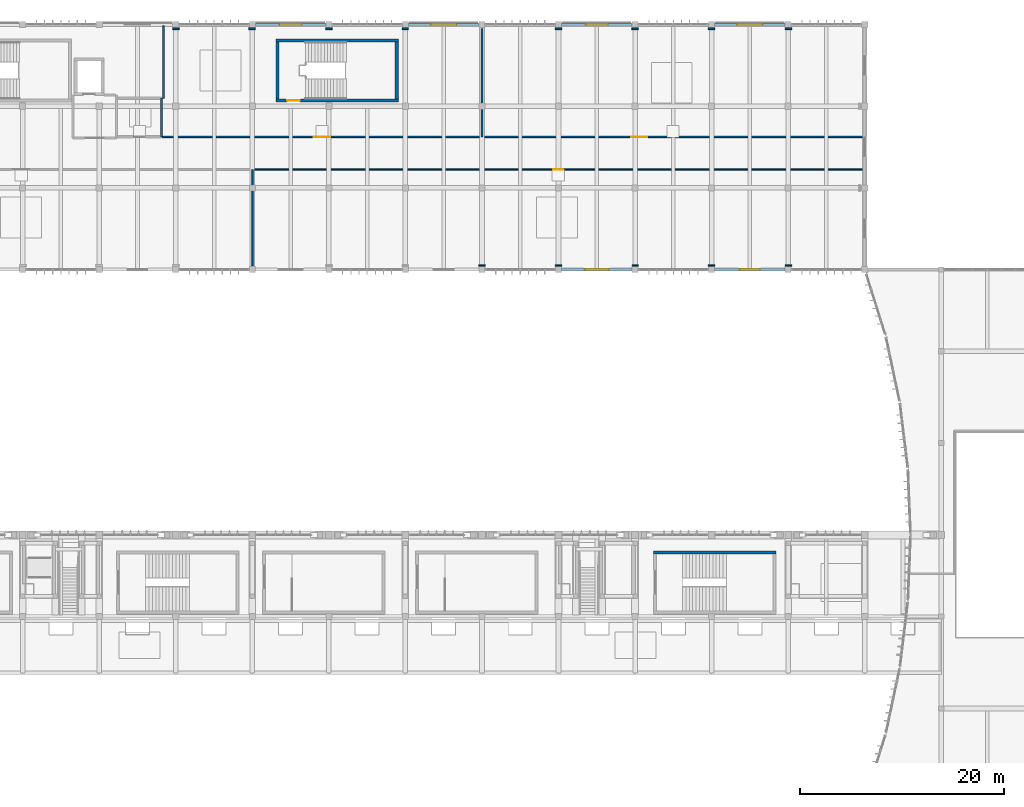
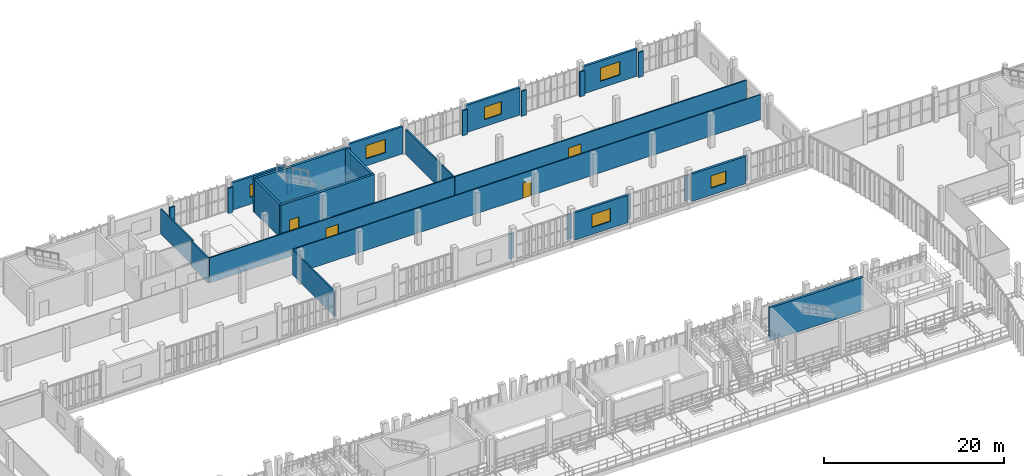
# One storey, part 57 of 81: 31 walls, 6 windows, 4 doors, 10 openings.
"""IFC4 building model written with IfcOpenShell, lengths in metres."""

from ifc_helpers import new_model, si_unit, direction, frame, frame_2d, origin, place, context, subcontext, project, spatial, rectangle, extrude, material, layer, layer_set, type_object, element, fill, save


model = new_model("IFC4")

# Units and contexts
model_context = context("Model", 3, precision=1e-05, world=origin(), true_north=direction((0.0, 1.0)))
body_context = subcontext(model_context, "Body", "Model", "MODEL_VIEW")
ifc_project = project(units=[si_unit("LENGTHUNIT", "METRE"), si_unit("AREAUNIT", "SQUARE_METRE"), si_unit("VOLUMEUNIT", "CUBIC_METRE"), si_unit("PLANEANGLEUNIT", "RADIAN"), si_unit("MASSUNIT", "GRAM", prefix="KILO")], contexts=[model_context])

# Site, building, storey
site_placement = place(None, origin())
site = spatial("IfcSite", under=ifc_project, at=site_placement, CompositionType="ELEMENT")
building_placement = place(site_placement, origin())
building = spatial("IfcBuilding", under=site, at=building_placement, Name="Vourika Railside Aquatics Centre", CompositionType="ELEMENT")
storey_placement = place(building_placement, frame((0.0, 0.0, 4.800048828125)))
storey = spatial("IfcBuildingStorey", under=building, at=storey_placement, Name="L01", CompositionType="ELEMENT", Elevation=4.800048828125)

# Wall, opening, door
ifc_material_1 = material(Name="Concrete C40/50", Category="concrete")
ifc_layer_1 = layer(ifc_material_1, 0.300048828125, Name="WL-CORE")
ifc_layer_set_1 = layer_set([ifc_layer_1], Name="Concrete C40/50")
wall_type_1 = type_object("IfcWallType", Name="WL-CORE", PredefinedType="SHEAR", material=ifc_layer_set_1)
wall_1_placement = place(storey_placement, frame((75.800048828125, 108.550048828125, 0.0), z_axis=(0.0, 0.0, 1.0), x_axis=(1.0, 0.0, 0.0)))
wall_1 = element("IfcWall", 1, at=wall_1_placement, inside=storey, type_object=wall_type_1, Name="Protected Exit Stair Core ST03 South Wall (L01)", PredefinedType="SHEAR", context=body_context, shape_type="SweptSolid", body=[
    extrude(rectangle(XDim=12.0, YDim=0.300048828125, at=frame_2d((6.0, 0.0))), origin(), (0.0, 0.0, 1.0), 4.5),
])
opening_1_placement = place(wall_1_placement, frame((1.10009765625, 0.0, 0.0)))
opening_1 = element("IfcOpeningElement", 2, at=opening_1_placement, cuts=wall_1, Name="Opening DF02", PredefinedType="OPENING", context=body_context, shape_type="SweptSolid", body=[
    extrude(rectangle(XDim=1.25, YDim=2.14990234375, at=frame_2d((0.625, 1.074951171875))), frame((0.0, 0.16015625, 0.0), z_axis=(0.0, -1.0, 0.0), x_axis=(1.0, 0.0, 0.0)), (0.0, 0.0, 1.0), 0.320068359375),
])
ifc_material_2 = material(Name="Fire-rated wide exit stair door")
door_type_1 = type_object("IfcDoorType", Name="DR-FD60-125", OperationType="NOTDEFINED", PredefinedType="DOOR", material=ifc_material_2)
door_1_placement = place(opening_1_placement, origin())
door_1 = element("IfcDoor", 3, at=door_1_placement, inside=storey, type_object=door_type_1, Name="Protected Exit Stair Core ST03 Enclosure Fire Door (L01)", OperationType="SINGLE_SWING_LEFT", OverallHeight=2.14990234375, OverallWidth=1.25, PredefinedType="DOOR", context=body_context, shape_type="SweptSolid", body=[
    extrude(rectangle(XDim=1.25, YDim=2.14990234375, at=frame_2d((0.625, 1.074951171875))), frame((0.0, 0.02490234375, 0.0), z_axis=(0.0, -1.0, 0.0), x_axis=(1.0, 0.0, 0.0)), (0.0, 0.0, 1.0), 0.050048828125),
])
fill(opening_1, door_1)

# Walls
wall_2_placement = place(storey_placement, frame((87.800048828125, 114.449951171875, 0.0), z_axis=(0.0, 0.0, 1.0), x_axis=(-1.0, 0.0, 0.0)))
element("IfcWall", 4, at=wall_2_placement, inside=storey, type_object=wall_type_1, Name="Protected Exit Stair Core ST03 North Wall (L01)", PredefinedType="SHEAR", context=body_context, shape_type="SweptSolid", body=[
    extrude(rectangle(XDim=12.0, YDim=0.300048828125, at=frame_2d((6.0, 0.0))), origin(), (0.0, 0.0, 1.0), 4.5),
])
for number, where, z_axis, x_axis, name in (
    (5, (75.949951171875, 114.300048828125, 0.0), (0.0, 0.0, 1.0), (0.0, -1.0, 0.0), "Protected Exit Stair Core ST03 West Wall (L01)"),
    (6, (87.64990234375, 108.699951171875, 0.0), (0.0, 0.0, 1.0), (0.0, 1.0, 0.0), "Protected Exit Stair Core ST03 East Wall (L01)"),
):
    element("IfcWall", number, at=place(storey_placement, frame(where, z_axis=z_axis, x_axis=x_axis)), inside=storey, type_object=wall_type_1, Name=name, PredefinedType="SHEAR", context=body_context, shape_type="SweptSolid", body=[
        extrude(rectangle(XDim=5.60009765625, YDim=0.300048828125, at=frame_2d((2.800048828125, 0.0))), origin(), (0.0, 0.0, 1.0), 4.5),
    ])
wall_3_placement = place(storey_placement, frame((124.800048828125, 64.300048828125, 0.0), z_axis=(0.0, 0.0, 1.0), x_axis=(-1.0, 0.0, 0.0)))
element("IfcWall", 7, at=wall_3_placement, inside=storey, type_object=wall_type_1, Name="Grandstand Vomitory Exit Stair ST10 North Wall (L01)", PredefinedType="SHEAR", context=body_context, shape_type="SweptSolid", body=[
    extrude(rectangle(XDim=12.0, YDim=0.300048828125, at=frame_2d((6.0, 0.0))), origin(), (0.0, 0.0, 1.0), 4.5),
])

# Wall, opening, window
ifc_material_3 = material(Name="Precast concrete C40/50", Category="concrete")
ifc_layer_2 = layer(ifc_material_3, 0.2900390625, Name="WL-EXT-290")
ifc_layer_set_2 = layer_set([ifc_layer_2], Name="Precast concrete C40/50")
wall_type_2 = type_object("IfcWallType", Name="WL-EXT-290", PredefinedType="SOLIDWALL", material=ifc_layer_set_2)
wall_4_placement = place(storey_placement, frame((80.699951171875, 116.0, 0.0), z_axis=(0.0, 0.0, 1.0), x_axis=(-1.0, 0.0, 0.0)))
wall_4 = element("IfcWall", 8, at=wall_4_placement, inside=storey, type_object=wall_type_2, Name="North Boulevard Precast Bay L01-8", PredefinedType="SOLIDWALL", context=body_context, shape_type="SweptSolid", body=[
    extrude(rectangle(XDim=6.89990234375, YDim=0.2900390625, at=frame_2d((3.449951171875, 0.0))), origin(), (0.0, 0.0, 1.0), 3.699951171875),
])
opening_2_placement = place(wall_4_placement, frame((2.375, 0.0, 0.949951171875)))
opening_2 = element("IfcOpeningElement", 9, at=opening_2_placement, cuts=wall_4, Name="Opening W04", PredefinedType="OPENING", context=body_context, shape_type="SweptSolid", body=[
    extrude(rectangle(XDim=2.14990234375, YDim=1.699951171875, at=frame_2d((1.074951171875, 0.85009765625))), frame((0.0, 0.155029296875, 0.0), z_axis=(0.0, -1.0, 0.0), x_axis=(1.0, 0.0, 0.0)), (0.0, 0.0, 1.0), 0.31005859375),
])
ifc_material_4 = material(Name="Laminated solar-control glass", Category="glass")
window_type_1 = type_object("IfcWindowType", Name="WN-FIT-215x170", PartitioningType="DOUBLE_PANEL_VERTICAL", PredefinedType="WINDOW", material=ifc_material_4)
window_1_placement = place(opening_2_placement, origin())
window_1 = element("IfcWindow", 10, at=window_1_placement, inside=storey, type_object=window_type_1, Name="North Boulevard Studio Window L01-8", OverallHeight=1.699951171875, OverallWidth=2.14990234375, PartitioningType="SINGLE_PANEL", PredefinedType="WINDOW", context=body_context, shape_type="SweptSolid", body=[
    extrude(rectangle(XDim=2.14990234375, YDim=1.699951171875, at=frame_2d((1.074951171875, 0.85009765625))), frame((0.0, 0.030029296875, 0.0), z_axis=(0.0, -1.0, 0.0), x_axis=(1.0, 0.0, 0.0)), (0.0, 0.0, 1.0), 0.06005859375),
])
fill(opening_2, window_1)

wall_5_placement = place(storey_placement, frame((95.699951171875, 116.0, 0.0), z_axis=(0.0, 0.0, 1.0), x_axis=(-1.0, 0.0, 0.0)))
wall_5 = element("IfcWall", 11, at=wall_5_placement, inside=storey, type_object=wall_type_2, Name="North Boulevard Precast Bay L01-10", PredefinedType="SOLIDWALL", context=body_context, shape_type="SweptSolid", body=[
    extrude(rectangle(XDim=6.89990234375, YDim=0.2900390625, at=frame_2d((3.449951171875, 0.0))), origin(), (0.0, 0.0, 1.0), 3.699951171875),
])
opening_3_placement = place(wall_5_placement, frame((2.199951171875, 0.0, 0.949951171875)))
opening_3 = element("IfcOpeningElement", 12, at=opening_3_placement, cuts=wall_5, Name="Opening W02", PredefinedType="OPENING", context=body_context, shape_type="SweptSolid", body=[
    extrude(rectangle(XDim=2.5, YDim=1.800048828125, at=frame_2d((1.25, 0.89990234375))), frame((0.0, 0.155029296875, 0.0), z_axis=(0.0, -1.0, 0.0), x_axis=(1.0, 0.0, 0.0)), (0.0, 0.0, 1.0), 0.31005859375),
])
window_type_2 = type_object("IfcWindowType", Name="WN-FIT-250x180", PartitioningType="DOUBLE_PANEL_VERTICAL", PredefinedType="WINDOW", material=ifc_material_4)
window_2_placement = place(opening_3_placement, origin())
window_2 = element("IfcWindow", 13, at=window_2_placement, inside=storey, type_object=window_type_2, Name="North Boulevard Studio Window L01-10", OverallHeight=1.800048828125, OverallWidth=2.5, PartitioningType="SINGLE_PANEL", PredefinedType="WINDOW", context=body_context, shape_type="SweptSolid", body=[
    extrude(rectangle(XDim=2.5, YDim=1.800048828125, at=frame_2d((1.25, 0.89990234375))), frame((0.0, 0.030029296875, 0.0), z_axis=(0.0, -1.0, 0.0), x_axis=(1.0, 0.0, 0.0)), (0.0, 0.0, 1.0), 0.06005859375),
])
fill(opening_3, window_2)

wall_6_placement = place(storey_placement, frame((110.699951171875, 116.0, 0.0), z_axis=(0.0, 0.0, 1.0), x_axis=(-1.0, 0.0, 0.0)))
wall_6 = element("IfcWall", 14, at=wall_6_placement, inside=storey, type_object=wall_type_2, Name="North Boulevard Precast Bay L01-12", PredefinedType="SOLIDWALL", context=body_context, shape_type="SweptSolid", body=[
    extrude(rectangle(XDim=6.89990234375, YDim=0.2900390625, at=frame_2d((3.449951171875, 0.0))), origin(), (0.0, 0.0, 1.0), 3.699951171875),
])
opening_4_placement = place(wall_6_placement, frame((2.375, 0.0, 0.949951171875)))
opening_4 = element("IfcOpeningElement", 15, at=opening_4_placement, cuts=wall_6, Name="Opening W04", PredefinedType="OPENING", context=body_context, shape_type="SweptSolid", body=[
    extrude(rectangle(XDim=2.14990234375, YDim=1.699951171875, at=frame_2d((1.074951171875, 0.85009765625))), frame((0.0, 0.155029296875, 0.0), z_axis=(0.0, -1.0, 0.0), x_axis=(1.0, 0.0, 0.0)), (0.0, 0.0, 1.0), 0.31005859375),
])
window_3_placement = place(opening_4_placement, origin())
window_3 = element("IfcWindow", 16, at=window_3_placement, inside=storey, type_object=window_type_1, Name="North Boulevard Studio Window L01-12", OverallHeight=1.699951171875, OverallWidth=2.14990234375, PartitioningType="SINGLE_PANEL", PredefinedType="WINDOW", context=body_context, shape_type="SweptSolid", body=[
    extrude(rectangle(XDim=2.14990234375, YDim=1.699951171875, at=frame_2d((1.074951171875, 0.85009765625))), frame((0.0, 0.030029296875, 0.0), z_axis=(0.0, -1.0, 0.0), x_axis=(1.0, 0.0, 0.0)), (0.0, 0.0, 1.0), 0.06005859375),
])
fill(opening_4, window_3)

wall_7_placement = place(storey_placement, frame((125.699951171875, 116.0, 0.0), z_axis=(0.0, 0.0, 1.0), x_axis=(-1.0, 0.0, 0.0)))
wall_7 = element("IfcWall", 17, at=wall_7_placement, inside=storey, type_object=wall_type_2, Name="North Boulevard Precast Bay L01-14", PredefinedType="SOLIDWALL", context=body_context, shape_type="SweptSolid", body=[
    extrude(rectangle(XDim=6.89990234375, YDim=0.2900390625, at=frame_2d((3.449951171875, 0.0))), origin(), (0.0, 0.0, 1.0), 3.699951171875),
])
opening_5_placement = place(wall_7_placement, frame((2.199951171875, 0.0, 0.949951171875)))
opening_5 = element("IfcOpeningElement", 18, at=opening_5_placement, cuts=wall_7, Name="Opening W02", PredefinedType="OPENING", context=body_context, shape_type="SweptSolid", body=[
    extrude(rectangle(XDim=2.5, YDim=1.800048828125, at=frame_2d((1.25, 0.89990234375))), frame((0.0, 0.155029296875, 0.0), z_axis=(0.0, -1.0, 0.0), x_axis=(1.0, 0.0, 0.0)), (0.0, 0.0, 1.0), 0.31005859375),
])
window_4_placement = place(opening_5_placement, origin())
window_4 = element("IfcWindow", 19, at=window_4_placement, inside=storey, type_object=window_type_2, Name="North Boulevard Studio Window L01-14", OverallHeight=1.800048828125, OverallWidth=2.5, PartitioningType="SINGLE_PANEL", PredefinedType="WINDOW", context=body_context, shape_type="SweptSolid", body=[
    extrude(rectangle(XDim=2.5, YDim=1.800048828125, at=frame_2d((1.25, 0.89990234375))), frame((0.0, 0.030029296875, 0.0), z_axis=(0.0, -1.0, 0.0), x_axis=(1.0, 0.0, 0.0)), (0.0, 0.0, 1.0), 0.06005859375),
])
fill(opening_5, window_4)

wall_8_placement = place(storey_placement, frame((103.800048828125, 92.0, 0.0), z_axis=(0.0, 0.0, 1.0), x_axis=(1.0, 0.0, 0.0)))
wall_8 = element("IfcWall", 20, at=wall_8_placement, inside=storey, type_object=wall_type_2, Name="Courtyard Precast Wall L01-10", PredefinedType="SOLIDWALL", context=body_context, shape_type="SweptSolid", body=[
    extrude(rectangle(XDim=6.89990234375, YDim=0.2900390625, at=frame_2d((3.449951171875, 0.0))), origin(), (0.0, 0.0, 1.0), 3.699951171875),
])
opening_6_placement = place(wall_8_placement, frame((2.27490234375, 0.0, 0.949951171875)))
opening_6 = element("IfcOpeningElement", 21, at=opening_6_placement, cuts=wall_8, Name="Opening W03", PredefinedType="OPENING", context=body_context, shape_type="SweptSolid", body=[
    extrude(rectangle(XDim=2.35009765625, YDim=1.75, at=frame_2d((1.175048828125, 0.875))), frame((0.0, 0.155029296875, 0.0), z_axis=(0.0, -1.0, 0.0), x_axis=(1.0, 0.0, 0.0)), (0.0, 0.0, 1.0), 0.31005859375),
])
window_type_3 = type_object("IfcWindowType", Name="WN-FIT-235x175", PartitioningType="DOUBLE_PANEL_VERTICAL", PredefinedType="WINDOW", material=ifc_material_4)
window_5_placement = place(opening_6_placement, origin())
window_5 = element("IfcWindow", 22, at=window_5_placement, inside=storey, type_object=window_type_3, Name="Courtyard Fitness Window L01-10", OverallHeight=1.75, OverallWidth=2.35009765625, PartitioningType="SINGLE_PANEL", PredefinedType="WINDOW", context=body_context, shape_type="SweptSolid", body=[
    extrude(rectangle(XDim=2.35009765625, YDim=1.75, at=frame_2d((1.175048828125, 0.875))), frame((0.0, 0.030029296875, 0.0), z_axis=(0.0, -1.0, 0.0), x_axis=(1.0, 0.0, 0.0)), (0.0, 0.0, 1.0), 0.06005859375),
])
fill(opening_6, window_5)

wall_9_placement = place(storey_placement, frame((118.800048828125, 92.0, 0.0), z_axis=(0.0, 0.0, 1.0), x_axis=(1.0, 0.0, 0.0)))
wall_9 = element("IfcWall", 23, at=wall_9_placement, inside=storey, type_object=wall_type_2, Name="Courtyard Precast Wall L01-12", PredefinedType="SOLIDWALL", context=body_context, shape_type="SweptSolid", body=[
    extrude(rectangle(XDim=6.89990234375, YDim=0.2900390625, at=frame_2d((3.449951171875, 0.0))), origin(), (0.0, 0.0, 1.0), 3.699951171875),
])
opening_7_placement = place(wall_9_placement, frame((2.47509765625, 0.0, 0.949951171875)))
opening_7 = element("IfcOpeningElement", 24, at=opening_7_placement, cuts=wall_9, Name="Opening W05", PredefinedType="OPENING", context=body_context, shape_type="SweptSolid", body=[
    extrude(rectangle(XDim=1.949951171875, YDim=1.64990234375, at=frame_2d((0.97509765625, 0.824951171875))), frame((0.0, 0.155029296875, 0.0), z_axis=(0.0, -1.0, 0.0), x_axis=(1.0, 0.0, 0.0)), (0.0, 0.0, 1.0), 0.31005859375),
])
window_type_4 = type_object("IfcWindowType", Name="WN-FIT-195x165", PartitioningType="DOUBLE_PANEL_VERTICAL", PredefinedType="WINDOW", material=ifc_material_4)
window_6_placement = place(opening_7_placement, origin())
window_6 = element("IfcWindow", 25, at=window_6_placement, inside=storey, type_object=window_type_4, Name="Courtyard Fitness Window L01-12", OverallHeight=1.64990234375, OverallWidth=1.949951171875, PartitioningType="SINGLE_PANEL", PredefinedType="WINDOW", context=body_context, shape_type="SweptSolid", body=[
    extrude(rectangle(XDim=1.949951171875, YDim=1.64990234375, at=frame_2d((0.97509765625, 0.824951171875))), frame((0.0, 0.030029296875, 0.0), z_axis=(0.0, -1.0, 0.0), x_axis=(1.0, 0.0, 0.0)), (0.0, 0.0, 1.0), 0.06005859375),
])
fill(opening_7, window_6)

# Wall, opening, door
ifc_material_5 = material(Name="Lightweight drylining partition")
ifc_layer_3 = layer(ifc_material_5, 0.1201171875, Name="WL-PART-120")
ifc_layer_set_3 = layer_set([ifc_layer_3], Name="Lightweight drylining partition")
wall_type_3 = type_object("IfcWallType", Name="WL-PART-120", PredefinedType="PARTITIONING", material=ifc_layer_set_3)
wall_10_placement = place(storey_placement, frame((73.56005859375, 101.800048828125, 0.0), z_axis=(0.0, 0.0, 1.0), x_axis=(1.0, 0.0, 0.0)))
wall_10 = element("IfcWall", 26, at=wall_10_placement, inside=storey, type_object=wall_type_3, Name="Cardio Fitness Hall Partition 1", PredefinedType="PARTITIONING", context=body_context, shape_type="SweptSolid", body=[
    extrude(rectangle(XDim=59.81494140625, YDim=0.1201171875, at=frame_2d((29.907470703125, 0.0))), origin(), (0.0, 0.0, 1.0), 3.39990234375),
])
opening_8_placement = place(wall_10_placement, frame((29.407470703125, 0.0, 0.0)))
opening_8 = element("IfcOpeningElement", 27, at=opening_8_placement, cuts=wall_10, Name="Opening DI01", PredefinedType="OPENING", context=body_context, shape_type="SweptSolid", body=[
    extrude(rectangle(XDim=1.0, YDim=2.10009765625, at=frame_2d((0.5, 1.050048828125))), frame((0.0, 0.070068359375, 0.0), z_axis=(0.0, -1.0, 0.0), x_axis=(1.0, 0.0, 0.0)), (0.0, 0.0, 1.0), 0.14013671875),
])
ifc_material_6 = material(Name="Anodized aluminium and laminate door", Category="aluminium")
door_type_2 = type_object("IfcDoorType", Name="DR-INT-1000", OperationType="NOTDEFINED", PredefinedType="DOOR", material=ifc_material_6)
door_2_placement = place(opening_8_placement, origin())
door_2 = element("IfcDoor", 28, at=door_2_placement, inside=storey, type_object=door_type_2, Name="Cardio Fitness Hall Door", OperationType="SINGLE_SWING_LEFT", OverallHeight=2.10009765625, OverallWidth=1.0, PredefinedType="DOOR", context=body_context, shape_type="SweptSolid", body=[
    extrude(rectangle(XDim=1.0, YDim=2.10009765625, at=frame_2d((0.5, 1.050048828125))), frame((0.0, 0.02490234375, 0.0), z_axis=(0.0, -1.0, 0.0), x_axis=(1.0, 0.0, 0.0)), (0.0, 0.0, 1.0), 0.050048828125),
])
fill(opening_8, door_2)

# Walls
for number, where, z_axis, x_axis, name in (
    (29, (126.330078125, 92.39990234375, 0.0), (0.0, 0.0, 1.0), (-1.0, 0.0, 0.0), "Cardio Fitness Hall Partition 4"),
    (30, (118.800048828125, 92.39990234375, 0.0), (0.0, 0.0, 1.0), (-1.0, 0.0, 0.0), "Cardio Fitness Hall Partition 5"),
    (31, (111.330078125, 92.39990234375, 0.0), (0.0, 0.0, 1.0), (-1.0, 0.0, 0.0), "Cardio Fitness Hall Partition 6"),
    (32, (103.800048828125, 92.39990234375, 0.0), (0.0, 0.0, 1.0), (-1.0, 0.0, 0.0), "Cardio Fitness Hall Partition 7"),
    (33, (96.330078125, 92.39990234375, 0.0), (0.0, 0.0, 1.0), (-1.0, 0.0, 0.0), "Cardio Fitness Hall Partition 8"),
):
    element("IfcWall", number, at=place(storey_placement, frame(where, z_axis=z_axis, x_axis=x_axis)), inside=storey, type_object=wall_type_3, Name=name, PredefinedType="PARTITIONING", context=body_context, shape_type="SweptSolid", body=[
        extrude(rectangle(XDim=0.630126953125, YDim=0.1201171875, at=frame_2d((0.31494140625, 0.0))), origin(), (0.0, 0.0, 1.0), 3.39990234375),
    ])
ifc_material_7 = material(Name="Acoustic twin-stud partition")
ifc_layer_4 = layer(ifc_material_7, 0.159912109375, Name="WL-PART-160")
ifc_layer_set_4 = layer_set([ifc_layer_4], Name="Acoustic twin-stud partition")
wall_type_4 = type_object("IfcWallType", Name="WL-PART-160", PredefinedType="PARTITIONING", material=ifc_layer_set_4)
wall_11_placement = place(storey_placement, frame((73.5, 101.800048828125, 0.0), z_axis=(0.0, 0.0, 1.0), x_axis=(0.0, -1.0, 0.0)))
element("IfcWall", 34, at=wall_11_placement, inside=storey, type_object=wall_type_4, Name="Strength and Free-Weights Gym Hall Partition 4", PredefinedType="PARTITIONING", context=body_context, shape_type="SweptSolid", body=[
    extrude(rectangle(XDim=9.400146484375, YDim=0.159912109375, at=frame_2d((4.7001953125, 0.0))), origin(), (0.0, 0.0, 1.0), 3.39990234375),
])

# Wall, opening, door
wall_12_placement = place(storey_placement, frame((96.0, 105.0, 0.0), z_axis=(0.0, 0.0, 1.0), x_axis=(-1.0, 0.0, 0.0)))
wall_12 = element("IfcWall", 35, at=wall_12_placement, inside=storey, type_object=wall_type_4, Name="Indoor Cycling Spin Studio Partition 1", PredefinedType="PARTITIONING", context=body_context, shape_type="SweptSolid", body=[
    extrude(rectangle(XDim=31.330078125, YDim=0.159912109375, at=frame_2d((15.6650390625, 0.0))), origin(), (0.0, 0.0, 1.0), 3.39990234375),
])
opening_9_placement = place(wall_12_placement, frame((14.864990234375, 0.0, 0.0)))
opening_9 = element("IfcOpeningElement", 36, at=opening_9_placement, cuts=wall_12, Name="Opening DI04", PredefinedType="OPENING", context=body_context, shape_type="SweptSolid", body=[
    extrude(rectangle(XDim=1.60009765625, YDim=2.199951171875, at=frame_2d((0.800048828125, 1.10009765625))), frame((0.0, 0.08984375, 0.0), z_axis=(0.0, -1.0, 0.0), x_axis=(1.0, 0.0, 0.0)), (0.0, 0.0, 1.0), 0.179931640625),
])
ifc_material_8 = material(Name="Double studio entrance door")
door_type_3 = type_object("IfcDoorType", Name="DR-INT-1600D", OperationType="DOUBLE_DOOR_SINGLE_SWING", PredefinedType="DOOR", material=ifc_material_8)
door_3_placement = place(opening_9_placement, origin())
door_3 = element("IfcDoor", 37, at=door_3_placement, inside=storey, type_object=door_type_3, Name="Indoor Cycling Spin Studio Door", OperationType="DOUBLE_DOOR_SINGLE_SWING", OverallHeight=2.199951171875, OverallWidth=1.60009765625, PredefinedType="DOOR", context=body_context, shape_type="SweptSolid", body=[
    extrude(rectangle(XDim=1.60009765625, YDim=2.199951171875, at=frame_2d((0.800048828125, 1.10009765625))), frame((0.0, 0.02490234375, 0.0), z_axis=(0.0, -1.0, 0.0), x_axis=(1.0, 0.0, 0.0)), (0.0, 0.0, 1.0), 0.050048828125),
])
fill(opening_9, door_3)

# Walls
wall_13_placement = place(storey_placement, frame((96.0, 115.60009765625, 0.0), z_axis=(0.0, 0.0, 1.0), x_axis=(0.0, -1.0, 0.0)))
element("IfcWall", 38, at=wall_13_placement, inside=storey, type_object=wall_type_4, Name="Indoor Cycling Spin Studio Partition 2", PredefinedType="PARTITIONING", context=body_context, shape_type="SweptSolid", body=[
    extrude(rectangle(XDim=10.60009765625, YDim=0.159912109375, at=frame_2d((5.300048828125, 0.0))), origin(), (0.0, 0.0, 1.0), 3.39990234375),
])
wall_14_placement = place(storey_placement, frame((64.800048828125, 108.800048828125, 0.0), z_axis=(0.0, 0.0, 1.0), x_axis=(0.0, 1.0, 0.0)))
element("IfcWall", 39, at=wall_14_placement, inside=storey, type_object=wall_type_4, Name="Indoor Cycling Spin Studio Partition 4", PredefinedType="PARTITIONING", context=body_context, shape_type="SweptSolid", body=[
    extrude(rectangle(XDim=7.074951171875, YDim=0.159912109375, at=frame_2d((3.53759765625, 0.0))), origin(), (0.0, 0.0, 1.0), 3.39990234375),
])
for number, where, z_axis, x_axis, name in (
    (40, (65.699951171875, 115.60009765625, 0.0), (0.0, 0.0, 1.0), (1.0, 0.0, 0.0), "Indoor Cycling Spin Studio Partition 5"),
    (41, (73.169921875, 115.60009765625, 0.0), (0.0, 0.0, 1.0), (1.0, 0.0, 0.0), "Indoor Cycling Spin Studio Partition 6"),
    (42, (80.699951171875, 115.60009765625, 0.0), (0.0, 0.0, 1.0), (1.0, 0.0, 0.0), "Indoor Cycling Spin Studio Partition 7"),
    (43, (88.169921875, 115.60009765625, 0.0), (0.0, 0.0, 1.0), (1.0, 0.0, 0.0), "Indoor Cycling Spin Studio Partition 8"),
):
    element("IfcWall", number, at=place(storey_placement, frame(where, z_axis=z_axis, x_axis=x_axis)), inside=storey, type_object=wall_type_4, Name=name, PredefinedType="PARTITIONING", context=body_context, shape_type="SweptSolid", body=[
        extrude(rectangle(XDim=0.630126953125, YDim=0.159912109375, at=frame_2d((0.31494140625, 0.0))), origin(), (0.0, 0.0, 1.0), 3.39990234375),
    ])

# Wall, opening, door
wall_15_placement = place(storey_placement, frame((133.375, 105.0, 0.0), z_axis=(0.0, 0.0, 1.0), x_axis=(-1.0, 0.0, 0.0)))
wall_15 = element("IfcWall", 44, at=wall_15_placement, inside=storey, type_object=wall_type_4, Name="Aerobics and Dance Movement Studio Partition 1", PredefinedType="PARTITIONING", context=body_context, shape_type="SweptSolid", body=[
    extrude(rectangle(XDim=37.31494140625, YDim=0.159912109375, at=frame_2d((18.657470703125, 0.0))), origin(), (0.0, 0.0, 1.0), 3.39990234375),
])
opening_10_placement = place(wall_15_placement, frame((21.157470703125, 0.0, 0.0)))
opening_10 = element("IfcOpeningElement", 45, at=opening_10_placement, cuts=wall_15, Name="Opening DI04", PredefinedType="OPENING", context=body_context, shape_type="SweptSolid", body=[
    extrude(rectangle(XDim=1.60009765625, YDim=2.199951171875, at=frame_2d((0.800048828125, 1.10009765625))), frame((0.0, 0.08984375, 0.0), z_axis=(0.0, -1.0, 0.0), x_axis=(1.0, 0.0, 0.0)), (0.0, 0.0, 1.0), 0.179931640625),
])
door_4_placement = place(opening_10_placement, origin())
door_4 = element("IfcDoor", 46, at=door_4_placement, inside=storey, type_object=door_type_3, Name="Aerobics and Dance Movement Studio Door", OperationType="DOUBLE_DOOR_SINGLE_SWING", OverallHeight=2.199951171875, OverallWidth=1.60009765625, PredefinedType="DOOR", context=body_context, shape_type="SweptSolid", body=[
    extrude(rectangle(XDim=1.60009765625, YDim=2.199951171875, at=frame_2d((0.800048828125, 1.10009765625))), frame((0.0, 0.02490234375, 0.0), z_axis=(0.0, -1.0, 0.0), x_axis=(1.0, 0.0, 0.0)), (0.0, 0.0, 1.0), 0.050048828125),
])
fill(opening_10, door_4)

# Walls
for number, where, z_axis, x_axis, name in (
    (47, (103.169921875, 115.60009765625, 0.0), (0.0, 0.0, 1.0), (1.0, 0.0, 0.0), "Aerobics and Dance Movement Studio Partition 4"),
    (48, (110.699951171875, 115.60009765625, 0.0), (0.0, 0.0, 1.0), (1.0, 0.0, 0.0), "Aerobics and Dance Movement Studio Partition 5"),
    (49, (118.169921875, 115.60009765625, 0.0), (0.0, 0.0, 1.0), (1.0, 0.0, 0.0), "Aerobics and Dance Movement Studio Partition 6"),
    (50, (125.699951171875, 115.60009765625, 0.0), (0.0, 0.0, 1.0), (1.0, 0.0, 0.0), "Aerobics and Dance Movement Studio Partition 7"),
):
    element("IfcWall", number, at=place(storey_placement, frame(where, z_axis=z_axis, x_axis=x_axis)), inside=storey, type_object=wall_type_4, Name=name, PredefinedType="PARTITIONING", context=body_context, shape_type="SweptSolid", body=[
        extrude(rectangle(XDim=0.630126953125, YDim=0.159912109375, at=frame_2d((0.31494140625, 0.0))), origin(), (0.0, 0.0, 1.0), 3.39990234375),
    ])
ifc_material_9 = material(Name="Moisture-resistant wet-village blockwork", Category="masonry")
ifc_layer_5 = layer(ifc_material_9, 0.179931640625, Name="WL-PART-180")
ifc_layer_set_5 = layer_set([ifc_layer_5], Name="Moisture-resistant wet-village blockwork")
wall_type_5 = type_object("IfcWallType", Name="WL-PART-180", PredefinedType="PARTITIONING", material=ifc_layer_set_5)
wall_16_placement = place(storey_placement, frame((64.60009765625, 108.800048828125, 0.0), z_axis=(0.0, 0.0, 1.0), x_axis=(0.0, -1.0, 0.0)))
element("IfcWall", 51, at=wall_16_placement, inside=storey, type_object=wall_type_5, Name="Spectator Accessible WC Partition 2", PredefinedType="PARTITIONING", context=body_context, shape_type="SweptSolid", body=[
    extrude(rectangle(XDim=3.800048828125, YDim=0.179931640625, at=frame_2d((1.89990234375, 0.0))), origin(), (0.0, 0.0, 1.0), 3.39990234375),
])

save(model, "model.ifc")
